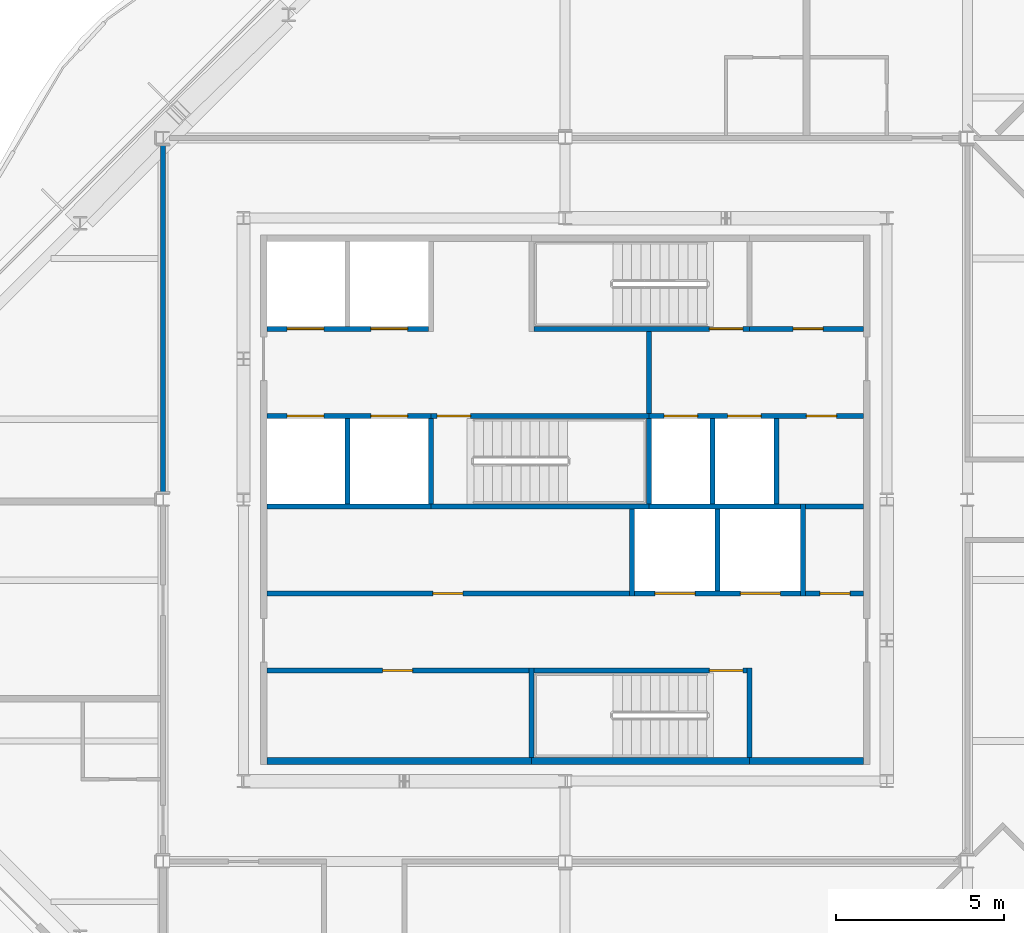
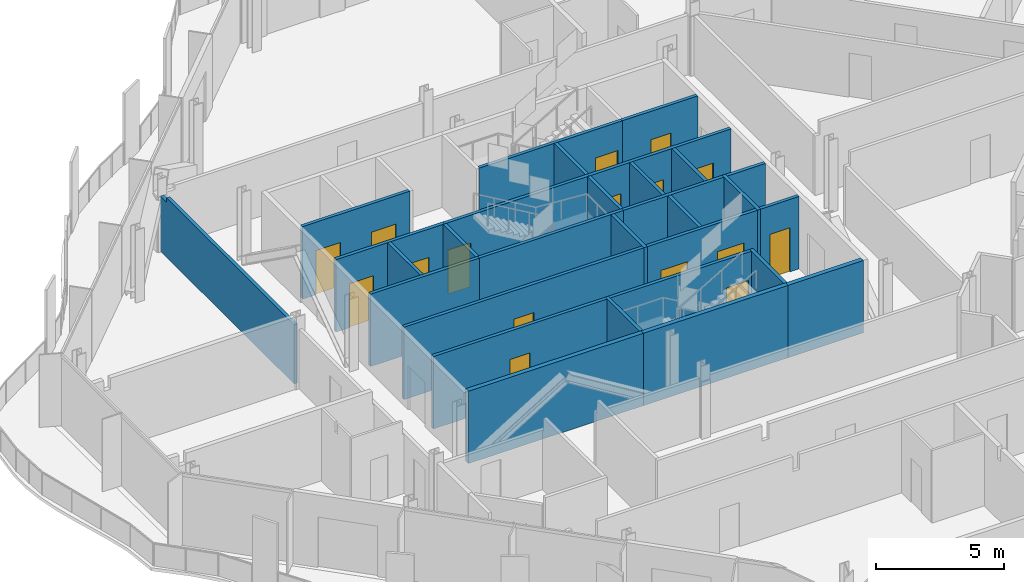
# One storey, part 8 of 17: 30 walls, 16 doors, 16 openings.
"""IFC4 building model written with IfcOpenShell, lengths in metres."""

from ifc_helpers import new_model, si_unit, direction, frame, frame_2d, origin, place, context, subcontext, project, spatial, polyline, rectangle, outline, extrude, material, layer, layer_set, type_object, element, fill, save


model = new_model("IFC4")

# Units and contexts
model_context = context("Model", 3, precision=1e-05, world=origin(), true_north=direction((0.0, 1.0)))
body_context = subcontext(model_context, "Body", "Model", "MODEL_VIEW")
ifc_project = project(units=[si_unit("LENGTHUNIT", "METRE"), si_unit("AREAUNIT", "SQUARE_METRE"), si_unit("VOLUMEUNIT", "CUBIC_METRE"), si_unit("PLANEANGLEUNIT", "RADIAN"), si_unit("MASSUNIT", "GRAM", prefix="KILO")], contexts=[model_context])

# Site, building, storey
site_placement = place(None, origin())
site = spatial("IfcSite", under=ifc_project, at=site_placement, CompositionType="ELEMENT")
building_placement = place(site_placement, origin())
building = spatial("IfcBuilding", under=site, at=building_placement, Name="Cairn Pilgrim Tower", CompositionType="ELEMENT")
storey_placement = place(building_placement, frame((0.0, 0.0, 250.199951171875)))
storey = spatial("IfcBuildingStorey", under=building, at=storey_placement, Name="L64", CompositionType="ELEMENT", Elevation=250.199951171875)

# Walls
ifc_material_1 = material(Name="Concrete C32/40", Category="concrete")
ifc_layer_1 = layer(ifc_material_1, 0.199951171875)
ifc_layer_set_1 = layer_set([ifc_layer_1], Name="CORE OUTER WALL 200 EI 120")
wall_type_1 = type_object("IfcWallType", Name="CORE OUTER WALL 200 EI 120", PredefinedType="SOLIDWALL", material=ifc_layer_set_1)
wall_1_placement = place(storey_placement, frame((-1.699951171875, -5.39990234375, 0.0), z_axis=(0.0, 0.0, 1.0), x_axis=(1.0, 0.0, 0.0)))
element("IfcWall", 1, at=wall_1_placement, inside=storey, type_object=wall_type_1, Name="CW:L64:H01-1", PredefinedType="SOLIDWALL", context=body_context, shape_type="SweptSolid", body=[
    extrude(rectangle(XDim=7.89990234375, YDim=0.199951171875, at=frame_2d((3.949951171875, 0.0))), origin(), (0.0, 0.0, 1.0), 3.449951171875),
])
wall_2_placement = place(storey_placement, frame((12.699951171875, -5.39990234375, 0.0), z_axis=(0.0, 0.0, 1.0), x_axis=(1.0, 0.0, 0.0)))
element("IfcWall", 2, at=wall_2_placement, inside=storey, type_object=wall_type_1, Name="CW:L64:H01-3", PredefinedType="SOLIDWALL", context=body_context, shape_type="SweptSolid", body=[
    extrude(rectangle(XDim=3.400146484375, YDim=0.199951171875, at=frame_2d((1.7001953125, 0.0))), origin(), (0.0, 0.0, 1.0), 3.449951171875),
])

# Wall, opening, door
ifc_layer_2 = layer(ifc_material_1, 0.14990234375)
ifc_layer_set_2 = layer_set([ifc_layer_2], Name="CORE PARTITION 150 EI 60")
wall_type_2 = type_object("IfcWallType", Name="CORE PARTITION 150 EI 60", PredefinedType="PARTITIONING", material=ifc_layer_set_2)
wall_3_placement = place(storey_placement, frame((-1.699951171875, -2.699951171875, 0.0), z_axis=(0.0, 0.0, 1.0), x_axis=(1.0, 0.0, 0.0)))
wall_3 = element("IfcWall", 3, at=wall_3_placement, inside=storey, type_object=wall_type_2, Name="CW:L64:H02", PredefinedType="PARTITIONING", context=body_context, shape_type="SweptSolid", body=[
    extrude(rectangle(XDim=7.824951171875, YDim=0.14990234375, at=frame_2d((3.91259765625, 0.0))), origin(), (0.0, 0.0, 1.0), 3.449951171875),
])
opening_1_placement = place(wall_3_placement, frame((3.449951171875, 0.0, 0.0)))
opening_1 = element("IfcOpeningElement", 4, at=opening_1_placement, cuts=wall_3, Name="Opening RD-R1W1", PredefinedType="OPENING", context=body_context, shape_type="SweptSolid", body=[
    extrude(rectangle(XDim=0.89990234375, YDim=2.10009765625, at=frame_2d((0.449951171875, 1.050048828125))), frame((0.0, 0.0849609375, 0.0), z_axis=(0.0, -1.0, 0.0), x_axis=(1.0, 0.0, 0.0)), (0.0, 0.0, 1.0), 0.169921875),
])
ifc_material_2 = material(Name="Painted steel", Category="steel")
door_type_1 = type_object("IfcDoorType", Name="SERVICE ROOM DOOR 900x2100", OperationType="SINGLE_SWING_LEFT", PredefinedType="DOOR", material=ifc_material_2)
door_1_placement = place(opening_1_placement, origin())
door_1 = element("IfcDoor", 5, at=door_1_placement, inside=storey, type_object=door_type_1, Name="RD-R1W1", OperationType="SINGLE_SWING_LEFT", OverallHeight=2.10009765625, OverallWidth=0.89990234375, PredefinedType="DOOR", context=body_context, shape_type="SweptSolid", body=[
    extrude(rectangle(XDim=0.89990234375, YDim=2.10009765625, at=frame_2d((0.449951171875, 1.050048828125))), frame((0.0, 0.02490234375, 0.0), z_axis=(0.0, -1.0, 0.0), x_axis=(1.0, 0.0, 0.0)), (0.0, 0.0, 1.0), 0.050048828125),
])
fill(opening_1, door_1)

wall_4_placement = place(storey_placement, frame((-1.699951171875, -0.39990234375, 0.0), z_axis=(0.0, 0.0, 1.0), x_axis=(1.0, 0.0, 0.0)))
wall_4 = element("IfcWall", 6, at=wall_4_placement, inside=storey, type_object=wall_type_2, Name="CW:L64:H04", PredefinedType="PARTITIONING", context=body_context, shape_type="SweptSolid", body=[
    extrude(rectangle(XDim=10.824951171875, YDim=0.14990234375, at=frame_2d((5.41259765625, 0.0))), origin(), (0.0, 0.0, 1.0), 3.449951171875),
])
opening_2_placement = place(wall_4_placement, frame((4.949951171875, 0.0, 0.0)))
opening_2 = element("IfcOpeningElement", 7, at=opening_2_placement, cuts=wall_4, Name="Opening RD-R2W1", PredefinedType="OPENING", context=body_context, shape_type="SweptSolid", body=[
    extrude(rectangle(XDim=0.89990234375, YDim=2.10009765625, at=frame_2d((0.449951171875, 1.050048828125))), frame((0.0, 0.0849609375, 0.0), z_axis=(0.0, -1.0, 0.0), x_axis=(1.0, 0.0, 0.0)), (0.0, 0.0, 1.0), 0.169921875),
])
door_2_placement = place(opening_2_placement, origin())
door_2 = element("IfcDoor", 8, at=door_2_placement, inside=storey, type_object=door_type_1, Name="RD-R2W1", OperationType="SINGLE_SWING_RIGHT", OverallHeight=2.10009765625, OverallWidth=0.89990234375, PredefinedType="DOOR", context=body_context, shape_type="SweptSolid", body=[
    extrude(rectangle(XDim=0.89990234375, YDim=2.10009765625, at=frame_2d((0.449951171875, 1.050048828125))), frame((0.0, 0.02490234375, 0.0), z_axis=(0.0, -1.0, 0.0), x_axis=(1.0, 0.0, 0.0)), (0.0, 0.0, 1.0), 0.050048828125),
])
fill(opening_2, door_2)

wall_5_placement = place(storey_placement, frame((14.375, -0.39990234375, 0.0), z_axis=(0.0, 0.0, 1.0), x_axis=(1.0, 0.0, 0.0)))
wall_5 = element("IfcWall", 9, at=wall_5_placement, inside=storey, type_object=wall_type_2, Name="CW:L64:H06", PredefinedType="PARTITIONING", context=body_context, shape_type="SweptSolid", body=[
    extrude(rectangle(XDim=1.72509765625, YDim=0.14990234375, at=frame_2d((0.862548828125, 0.0))), origin(), (0.0, 0.0, 1.0), 3.449951171875),
])
opening_3_placement = place(wall_5_placement, frame((0.425048828125, 0.0, 0.0)))
opening_3 = element("IfcOpeningElement", 10, at=opening_3_placement, cuts=wall_5, Name="Opening RD-R2E", PredefinedType="OPENING", context=body_context, shape_type="SweptSolid", body=[
    extrude(rectangle(XDim=0.89990234375, YDim=2.10009765625, at=frame_2d((0.449951171875, 1.050048828125))), frame((0.0, 0.0849609375, 0.0), z_axis=(0.0, -1.0, 0.0), x_axis=(1.0, 0.0, 0.0)), (0.0, 0.0, 1.0), 0.169921875),
])
door_3_placement = place(opening_3_placement, origin())
door_3 = element("IfcDoor", 11, at=door_3_placement, inside=storey, type_object=door_type_1, Name="RD-R2E", OperationType="SINGLE_SWING_RIGHT", OverallHeight=2.10009765625, OverallWidth=0.89990234375, PredefinedType="DOOR", context=body_context, shape_type="SweptSolid", body=[
    extrude(rectangle(XDim=0.89990234375, YDim=2.10009765625, at=frame_2d((0.449951171875, 1.050048828125))), frame((0.0, 0.02490234375, 0.0), z_axis=(0.0, -1.0, 0.0), x_axis=(1.0, 0.0, 0.0)), (0.0, 0.0, 1.0), 0.050048828125),
])
fill(opening_3, door_3)

# Wall
wall_6_placement = place(storey_placement, frame((14.375, 2.199951171875, 0.0), z_axis=(0.0, 0.0, 1.0), x_axis=(1.0, 0.0, 0.0)))
element("IfcWall", 12, at=wall_6_placement, inside=storey, type_object=wall_type_2, Name="CW:L64:H08", PredefinedType="PARTITIONING", context=body_context, shape_type="SweptSolid", body=[
    extrude(rectangle(XDim=1.72509765625, YDim=0.14990234375, at=frame_2d((0.862548828125, 0.0))), origin(), (0.0, 0.0, 1.0), 3.449951171875),
])

# Wall, openings, doors
ifc_layer_3 = layer(ifc_material_1, 0.14990234375)
ifc_layer_set_3 = layer_set([ifc_layer_3], Name="CORE SHAFT WALL 150 EI 120")
wall_type_3 = type_object("IfcWallType", Name="CORE SHAFT WALL 150 EI 120", PredefinedType="SOLIDWALL", material=ifc_layer_set_3)
wall_7_placement = place(storey_placement, frame((9.27490234375, -0.39990234375, 0.0), z_axis=(0.0, 0.0, 1.0), x_axis=(1.0, 0.0, 0.0)))
wall_7 = element("IfcWall", 13, at=wall_7_placement, inside=storey, type_object=wall_type_3, Name="CW:L64:H05", PredefinedType="SOLIDWALL", context=body_context, shape_type="SweptSolid", body=[
    extrude(rectangle(XDim=4.9501953125, YDim=0.14990234375, at=frame_2d((2.47509765625, 0.0))), origin(), (0.0, 0.0, 1.0), 3.449951171875),
])
opening_4_placement = place(wall_7_placement, frame((0.60009765625, 0.0, 0.0)))
opening_4 = element("IfcOpeningElement", 14, at=opening_4_placement, cuts=wall_7, Name="Opening LD-SV1", PredefinedType="OPENING", context=body_context, shape_type="SweptSolid", body=[
    extrude(rectangle(XDim=1.199951171875, YDim=2.10009765625, at=frame_2d((0.60009765625, 1.050048828125))), frame((0.0, 0.0849609375, 0.0), z_axis=(0.0, -1.0, 0.0), x_axis=(1.0, 0.0, 0.0)), (0.0, 0.0, 1.0), 0.169921875),
])
opening_5_placement = place(wall_7_placement, frame((3.14990234375, 0.0, 0.0)))
opening_5 = element("IfcOpeningElement", 15, at=opening_5_placement, cuts=wall_7, Name="Opening LD-SV2", PredefinedType="OPENING", context=body_context, shape_type="SweptSolid", body=[
    extrude(rectangle(XDim=1.199951171875, YDim=2.10009765625, at=frame_2d((0.60009765625, 1.050048828125))), frame((0.0, 0.0849609375, 0.0), z_axis=(0.0, -1.0, 0.0), x_axis=(1.0, 0.0, 0.0)), (0.0, 0.0, 1.0), 0.169921875),
])
ifc_material_3 = material(Name="Stainless steel", Category="steel")
door_type_2 = type_object("IfcDoorType", Name="LIFT LANDING DOOR 1200x2100", OperationType="DOUBLE_DOOR_SLIDING", PredefinedType="DOOR", material=ifc_material_3)
door_4_placement = place(opening_4_placement, origin())
door_4 = element("IfcDoor", 16, at=door_4_placement, inside=storey, type_object=door_type_2, Name="LANDING DOOR SV1", OperationType="DOUBLE_DOOR_SLIDING", OverallHeight=2.10009765625, OverallWidth=1.199951171875, PredefinedType="DOOR", context=body_context, shape_type="SweptSolid", body=[
    extrude(rectangle(XDim=1.199951171875, YDim=2.10009765625, at=frame_2d((0.60009765625, 1.050048828125))), frame((0.0, 0.02490234375, 0.0), z_axis=(0.0, -1.0, 0.0), x_axis=(1.0, 0.0, 0.0)), (0.0, 0.0, 1.0), 0.050048828125),
])
fill(opening_4, door_4)
door_5_placement = place(opening_5_placement, origin())
door_5 = element("IfcDoor", 17, at=door_5_placement, inside=storey, type_object=door_type_2, Name="LANDING DOOR SV2", OperationType="DOUBLE_DOOR_SLIDING", OverallHeight=2.10009765625, OverallWidth=1.199951171875, PredefinedType="DOOR", context=body_context, shape_type="SweptSolid", body=[
    extrude(rectangle(XDim=1.199951171875, YDim=2.10009765625, at=frame_2d((0.60009765625, 1.050048828125))), frame((0.0, 0.02490234375, 0.0), z_axis=(0.0, -1.0, 0.0), x_axis=(1.0, 0.0, 0.0)), (0.0, 0.0, 1.0), 0.050048828125),
])
fill(opening_5, door_5)

# Walls
wall_8_placement = place(storey_placement, frame((-1.699951171875, 2.199951171875, 0.0), z_axis=(0.0, 0.0, 1.0), x_axis=(1.0, 0.0, 0.0)))
element("IfcWall", 18, at=wall_8_placement, inside=storey, type_object=wall_type_3, Name="CW:L64:H07-1", PredefinedType="SOLIDWALL", context=body_context, shape_type="SweptSolid", body=[
    extrude(rectangle(XDim=4.89990234375, YDim=0.14990234375, at=frame_2d((2.449951171875, 0.0))), origin(), (0.0, 0.0, 1.0), 3.449951171875),
])
wall_9_placement = place(storey_placement, frame((9.699951171875, 2.199951171875, 0.0), z_axis=(0.0, 0.0, 1.0), x_axis=(1.0, 0.0, 0.0)))
element("IfcWall", 19, at=wall_9_placement, inside=storey, type_object=wall_type_3, Name="CW:L64:H07-3", PredefinedType="SOLIDWALL", context=body_context, shape_type="SweptSolid", body=[
    extrude(rectangle(XDim=4.525146484375, YDim=0.14990234375, at=frame_2d((2.2626953125, 0.0))), origin(), (0.0, 0.0, 1.0), 3.449951171875),
])

# Wall, openings, doors
wall_10_placement = place(storey_placement, frame((-1.699951171875, 4.89990234375, 0.0), z_axis=(0.0, 0.0, 1.0), x_axis=(1.0, 0.0, 0.0)))
wall_10 = element("IfcWall", 20, at=wall_10_placement, inside=storey, type_object=wall_type_3, Name="CW:L64:H09-1", PredefinedType="SOLIDWALL", context=body_context, shape_type="SweptSolid", body=[
    extrude(rectangle(XDim=4.89990234375, YDim=0.14990234375, at=frame_2d((2.449951171875, 0.0))), origin(), (0.0, 0.0, 1.0), 3.449951171875),
])
opening_6_placement = place(wall_10_placement, frame((0.60009765625, 0.0, 0.0)))
opening_6 = element("IfcOpeningElement", 21, at=opening_6_placement, cuts=wall_10, Name="Opening LD-HR1", PredefinedType="OPENING", context=body_context, shape_type="SweptSolid", body=[
    extrude(rectangle(XDim=1.10009765625, YDim=2.10009765625, at=frame_2d((0.550048828125, 1.050048828125))), frame((0.0, 0.0849609375, 0.0), z_axis=(0.0, -1.0, 0.0), x_axis=(1.0, 0.0, 0.0)), (0.0, 0.0, 1.0), 0.169921875),
])
opening_7_placement = place(wall_10_placement, frame((3.10009765625, 0.0, 0.0)))
opening_7 = element("IfcOpeningElement", 22, at=opening_7_placement, cuts=wall_10, Name="Opening LD-HR2", PredefinedType="OPENING", context=body_context, shape_type="SweptSolid", body=[
    extrude(rectangle(XDim=1.10009765625, YDim=2.10009765625, at=frame_2d((0.550048828125, 1.050048828125))), frame((0.0, 0.0849609375, 0.0), z_axis=(0.0, -1.0, 0.0), x_axis=(1.0, 0.0, 0.0)), (0.0, 0.0, 1.0), 0.169921875),
])
door_type_3 = type_object("IfcDoorType", Name="LIFT LANDING DOOR 1100x2100", OperationType="DOUBLE_DOOR_SLIDING", PredefinedType="DOOR", material=ifc_material_3)
door_6_placement = place(opening_6_placement, origin())
door_6 = element("IfcDoor", 23, at=door_6_placement, inside=storey, type_object=door_type_3, Name="LANDING DOOR HR1", OperationType="DOUBLE_DOOR_SLIDING", OverallHeight=2.10009765625, OverallWidth=1.10009765625, PredefinedType="DOOR", context=body_context, shape_type="SweptSolid", body=[
    extrude(rectangle(XDim=1.10009765625, YDim=2.10009765625, at=frame_2d((0.550048828125, 1.050048828125))), frame((0.0, 0.02490234375, 0.0), z_axis=(0.0, -1.0, 0.0), x_axis=(1.0, 0.0, 0.0)), (0.0, 0.0, 1.0), 0.050048828125),
])
fill(opening_6, door_6)
door_7_placement = place(opening_7_placement, origin())
door_7 = element("IfcDoor", 24, at=door_7_placement, inside=storey, type_object=door_type_3, Name="LANDING DOOR HR2", OperationType="DOUBLE_DOOR_SLIDING", OverallHeight=2.10009765625, OverallWidth=1.10009765625, PredefinedType="DOOR", context=body_context, shape_type="SweptSolid", body=[
    extrude(rectangle(XDim=1.10009765625, YDim=2.10009765625, at=frame_2d((0.550048828125, 1.050048828125))), frame((0.0, 0.02490234375, 0.0), z_axis=(0.0, -1.0, 0.0), x_axis=(1.0, 0.0, 0.0)), (0.0, 0.0, 1.0), 0.050048828125),
])
fill(opening_7, door_7)

wall_11_placement = place(storey_placement, frame((9.699951171875, 4.89990234375, 0.0), z_axis=(0.0, 0.0, 1.0), x_axis=(1.0, 0.0, 0.0)))
wall_11 = element("IfcWall", 25, at=wall_11_placement, inside=storey, type_object=wall_type_3, Name="CW:L64:H09-3", PredefinedType="SOLIDWALL", context=body_context, shape_type="SweptSolid", body=[
    extrude(rectangle(XDim=6.400146484375, YDim=0.14990234375, at=frame_2d((3.2001953125, 0.0))), origin(), (0.0, 0.0, 1.0), 3.449951171875),
])
opening_8_placement = place(wall_11_placement, frame((0.449951171875, 0.0, 0.0)))
opening_8 = element("IfcOpeningElement", 26, at=opening_8_placement, cuts=wall_11, Name="Opening LD-FF1", PredefinedType="OPENING", context=body_context, shape_type="SweptSolid", body=[
    extrude(rectangle(XDim=1.0, YDim=2.10009765625, at=frame_2d((0.5, 1.050048828125))), frame((0.0, 0.0849609375, 0.0), z_axis=(0.0, -1.0, 0.0), x_axis=(1.0, 0.0, 0.0)), (0.0, 0.0, 1.0), 0.169921875),
])
opening_9_placement = place(wall_11_placement, frame((2.35009765625, 0.0, 0.0)))
opening_9 = element("IfcOpeningElement", 27, at=opening_9_placement, cuts=wall_11, Name="Opening LD-FF2", PredefinedType="OPENING", context=body_context, shape_type="SweptSolid", body=[
    extrude(rectangle(XDim=1.0, YDim=2.10009765625, at=frame_2d((0.5, 1.050048828125))), frame((0.0, 0.0849609375, 0.0), z_axis=(0.0, -1.0, 0.0), x_axis=(1.0, 0.0, 0.0)), (0.0, 0.0, 1.0), 0.169921875),
])
opening_10_placement = place(wall_11_placement, frame((4.699951171875, 0.0, 0.0)))
opening_10 = element("IfcOpeningElement", 28, at=opening_10_placement, cuts=wall_11, Name="Opening RD-R3E", PredefinedType="OPENING", context=body_context, shape_type="SweptSolid", body=[
    extrude(rectangle(XDim=0.89990234375, YDim=2.10009765625, at=frame_2d((0.449951171875, 1.050048828125))), frame((0.0, 0.0849609375, 0.0), z_axis=(0.0, -1.0, 0.0), x_axis=(1.0, 0.0, 0.0)), (0.0, 0.0, 1.0), 0.169921875),
])
door_type_4 = type_object("IfcDoorType", Name="LIFT LANDING DOOR FIRE 1000x2100", OperationType="DOUBLE_DOOR_SLIDING", PredefinedType="DOOR", material=ifc_material_3)
door_8_placement = place(opening_8_placement, origin())
door_8 = element("IfcDoor", 29, at=door_8_placement, inside=storey, type_object=door_type_4, Name="LANDING DOOR FF1", OperationType="DOUBLE_DOOR_SLIDING", OverallHeight=2.10009765625, OverallWidth=1.0, PredefinedType="DOOR", context=body_context, shape_type="SweptSolid", body=[
    extrude(rectangle(XDim=1.0, YDim=2.10009765625, at=frame_2d((0.5, 1.050048828125))), frame((0.0, 0.02490234375, 0.0), z_axis=(0.0, -1.0, 0.0), x_axis=(1.0, 0.0, 0.0)), (0.0, 0.0, 1.0), 0.050048828125),
])
fill(opening_8, door_8)
door_9_placement = place(opening_9_placement, origin())
door_9 = element("IfcDoor", 30, at=door_9_placement, inside=storey, type_object=door_type_4, Name="LANDING DOOR FF2", OperationType="DOUBLE_DOOR_SLIDING", OverallHeight=2.10009765625, OverallWidth=1.0, PredefinedType="DOOR", context=body_context, shape_type="SweptSolid", body=[
    extrude(rectangle(XDim=1.0, YDim=2.10009765625, at=frame_2d((0.5, 1.050048828125))), frame((0.0, 0.02490234375, 0.0), z_axis=(0.0, -1.0, 0.0), x_axis=(1.0, 0.0, 0.0)), (0.0, 0.0, 1.0), 0.050048828125),
])
fill(opening_9, door_9)
door_10_placement = place(opening_10_placement, origin())
door_10 = element("IfcDoor", 31, at=door_10_placement, inside=storey, type_object=door_type_1, Name="RD-R3E", OperationType="SINGLE_SWING_LEFT", OverallHeight=2.10009765625, OverallWidth=0.89990234375, PredefinedType="DOOR", context=body_context, shape_type="SweptSolid", body=[
    extrude(rectangle(XDim=0.89990234375, YDim=2.10009765625, at=frame_2d((0.449951171875, 1.050048828125))), frame((0.0, 0.02490234375, 0.0), z_axis=(0.0, -1.0, 0.0), x_axis=(1.0, 0.0, 0.0)), (0.0, 0.0, 1.0), 0.050048828125),
])
fill(opening_10, door_10)

wall_12_placement = place(storey_placement, frame((-1.699951171875, 7.5, 0.0), z_axis=(0.0, 0.0, 1.0), x_axis=(1.0, 0.0, 0.0)))
wall_12 = element("IfcWall", 32, at=wall_12_placement, inside=storey, type_object=wall_type_3, Name="CW:L64:H10", PredefinedType="SOLIDWALL", context=body_context, shape_type="SweptSolid", body=[
    extrude(rectangle(XDim=4.824951171875, YDim=0.14990234375, at=frame_2d((2.41259765625, 0.0))), origin(), (0.0, 0.0, 1.0), 3.449951171875),
])
opening_11_placement = place(wall_12_placement, frame((0.60009765625, 0.0, 0.0)))
opening_11 = element("IfcOpeningElement", 33, at=opening_11_placement, cuts=wall_12, Name="Opening LD-HR3", PredefinedType="OPENING", context=body_context, shape_type="SweptSolid", body=[
    extrude(rectangle(XDim=1.10009765625, YDim=2.10009765625, at=frame_2d((0.550048828125, 1.050048828125))), frame((0.0, 0.0849609375, 0.0), z_axis=(0.0, -1.0, 0.0), x_axis=(1.0, 0.0, 0.0)), (0.0, 0.0, 1.0), 0.169921875),
])
opening_12_placement = place(wall_12_placement, frame((3.10009765625, 0.0, 0.0)))
opening_12 = element("IfcOpeningElement", 34, at=opening_12_placement, cuts=wall_12, Name="Opening LD-HR4", PredefinedType="OPENING", context=body_context, shape_type="SweptSolid", body=[
    extrude(rectangle(XDim=1.10009765625, YDim=2.10009765625, at=frame_2d((0.550048828125, 1.050048828125))), frame((0.0, 0.0849609375, 0.0), z_axis=(0.0, -1.0, 0.0), x_axis=(1.0, 0.0, 0.0)), (0.0, 0.0, 1.0), 0.169921875),
])
door_11_placement = place(opening_11_placement, origin())
door_11 = element("IfcDoor", 35, at=door_11_placement, inside=storey, type_object=door_type_3, Name="LANDING DOOR HR3", OperationType="DOUBLE_DOOR_SLIDING", OverallHeight=2.10009765625, OverallWidth=1.10009765625, PredefinedType="DOOR", context=body_context, shape_type="SweptSolid", body=[
    extrude(rectangle(XDim=1.10009765625, YDim=2.10009765625, at=frame_2d((0.550048828125, 1.050048828125))), frame((0.0, 0.02490234375, 0.0), z_axis=(0.0, -1.0, 0.0), x_axis=(1.0, 0.0, 0.0)), (0.0, 0.0, 1.0), 0.050048828125),
])
fill(opening_11, door_11)
door_12_placement = place(opening_12_placement, origin())
door_12 = element("IfcDoor", 36, at=door_12_placement, inside=storey, type_object=door_type_3, Name="LANDING DOOR HR4", OperationType="DOUBLE_DOOR_SLIDING", OverallHeight=2.10009765625, OverallWidth=1.10009765625, PredefinedType="DOOR", context=body_context, shape_type="SweptSolid", body=[
    extrude(rectangle(XDim=1.10009765625, YDim=2.10009765625, at=frame_2d((0.550048828125, 1.050048828125))), frame((0.0, 0.02490234375, 0.0), z_axis=(0.0, -1.0, 0.0), x_axis=(1.0, 0.0, 0.0)), (0.0, 0.0, 1.0), 0.050048828125),
])
fill(opening_12, door_12)

# Wall, opening, door
wall_13_placement = place(storey_placement, frame((12.699951171875, 7.5, 0.0), z_axis=(0.0, 0.0, 1.0), x_axis=(1.0, 0.0, 0.0)))
wall_13 = element("IfcWall", 37, at=wall_13_placement, inside=storey, type_object=wall_type_3, Name="CW:L64:H11-2", PredefinedType="SOLIDWALL", context=body_context, shape_type="SweptSolid", body=[
    extrude(rectangle(XDim=3.400146484375, YDim=0.14990234375, at=frame_2d((1.7001953125, 0.0))), origin(), (0.0, 0.0, 1.0), 3.449951171875),
])
opening_13_placement = place(wall_13_placement, frame((1.300048828125, 0.0, 0.0)))
opening_13 = element("IfcOpeningElement", 38, at=opening_13_placement, cuts=wall_13, Name="Opening RD-R4E", PredefinedType="OPENING", context=body_context, shape_type="SweptSolid", body=[
    extrude(rectangle(XDim=0.89990234375, YDim=2.10009765625, at=frame_2d((0.449951171875, 1.050048828125))), frame((0.0, 0.0849609375, 0.0), z_axis=(0.0, -1.0, 0.0), x_axis=(1.0, 0.0, 0.0)), (0.0, 0.0, 1.0), 0.169921875),
])
door_13_placement = place(opening_13_placement, origin())
door_13 = element("IfcDoor", 39, at=door_13_placement, inside=storey, type_object=door_type_1, Name="RD-R4E", OperationType="SINGLE_SWING_RIGHT", OverallHeight=2.10009765625, OverallWidth=0.89990234375, PredefinedType="DOOR", context=body_context, shape_type="SweptSolid", body=[
    extrude(rectangle(XDim=0.89990234375, YDim=2.10009765625, at=frame_2d((0.449951171875, 1.050048828125))), frame((0.0, 0.02490234375, 0.0), z_axis=(0.0, -1.0, 0.0), x_axis=(1.0, 0.0, 0.0)), (0.0, 0.0, 1.0), 0.050048828125),
])
fill(opening_13, door_13)

# Walls
wall_14_placement = place(storey_placement, frame((0.699951171875, 2.27490234375, 0.0), z_axis=(0.0, 0.0, 1.0), x_axis=(0.0, 1.0, 0.0)))
element("IfcWall", 40, at=wall_14_placement, inside=storey, type_object=wall_type_3, Name="CW:L64:V14", PredefinedType="SOLIDWALL", context=body_context, shape_type="SweptSolid", body=[
    extrude(rectangle(XDim=2.550048828125, YDim=0.14990234375, at=frame_2d((1.27490234375, 0.0))), origin(), (0.0, 0.0, 1.0), 3.449951171875),
])
wall_15_placement = place(storey_placement, frame((9.199951171875, -0.47509765625, 0.0), z_axis=(0.0, 0.0, 1.0), x_axis=(0.0, 1.0, 0.0)))
element("IfcWall", 41, at=wall_15_placement, inside=storey, type_object=wall_type_3, Name="CW:L64:V20", PredefinedType="SOLIDWALL", context=body_context, shape_type="SweptSolid", body=[
    extrude(rectangle(XDim=2.60009765625, YDim=0.14990234375, at=frame_2d((1.300048828125, 0.0))), origin(), (0.0, 0.0, 1.0), 3.449951171875),
])
wall_16_placement = place(storey_placement, frame((9.699951171875, 4.97509765625, 0.0), z_axis=(0.0, 0.0, 1.0), x_axis=(0.0, 1.0, 0.0)))
element("IfcWall", 42, at=wall_16_placement, inside=storey, type_object=wall_type_3, Name="CW:L64:V22", PredefinedType="SOLIDWALL", context=body_context, shape_type="SweptSolid", body=[
    extrude(rectangle(XDim=2.449951171875, YDim=0.14990234375, at=frame_2d((1.22509765625, 0.0))), origin(), (0.0, 0.0, 1.0), 3.449951171875),
])
wall_17_placement = place(storey_placement, frame((11.60009765625, 2.27490234375, 0.0), z_axis=(0.0, 0.0, 1.0), x_axis=(0.0, 1.0, 0.0)))
element("IfcWall", 43, at=wall_17_placement, inside=storey, type_object=wall_type_3, Name="CW:L64:V23", PredefinedType="SOLIDWALL", context=body_context, shape_type="SweptSolid", body=[
    extrude(rectangle(XDim=2.550048828125, YDim=0.14990234375, at=frame_2d((1.27490234375, 0.0))), origin(), (0.0, 0.0, 1.0), 3.449951171875),
])
wall_18_placement = place(storey_placement, frame((11.75, -0.324951171875, 0.0), z_axis=(0.0, 0.0, 1.0), x_axis=(0.0, 1.0, 0.0)))
element("IfcWall", 44, at=wall_18_placement, inside=storey, type_object=wall_type_3, Name="CW:L64:V24", PredefinedType="SOLIDWALL", context=body_context, shape_type="SweptSolid", body=[
    extrude(rectangle(XDim=2.449951171875, YDim=0.14990234375, at=frame_2d((1.22509765625, 0.0))), origin(), (0.0, 0.0, 1.0), 3.449951171875),
])
wall_19_placement = place(storey_placement, frame((13.5, 2.27490234375, 0.0), z_axis=(0.0, 0.0, 1.0), x_axis=(0.0, 1.0, 0.0)))
element("IfcWall", 45, at=wall_19_placement, inside=storey, type_object=wall_type_3, Name="CW:L64:V27", PredefinedType="SOLIDWALL", context=body_context, shape_type="SweptSolid", body=[
    extrude(rectangle(XDim=2.550048828125, YDim=0.14990234375, at=frame_2d((1.27490234375, 0.0))), origin(), (0.0, 0.0, 1.0), 3.449951171875),
])
wall_20_placement = place(storey_placement, frame((14.300048828125, -0.47509765625, 0.0), z_axis=(0.0, 0.0, 1.0), x_axis=(0.0, 1.0, 0.0)))
element("IfcWall", 46, at=wall_20_placement, inside=storey, type_object=wall_type_3, Name="CW:L64:V28", PredefinedType="SOLIDWALL", context=body_context, shape_type="SweptSolid", body=[
    extrude(rectangle(XDim=2.75, YDim=0.14990234375, at=frame_2d((1.375, 0.0))), origin(), (0.0, 0.0, 1.0), 3.449951171875),
])
ifc_material_4 = material(Name="Gypsum partition")
ifc_layer_4 = layer(ifc_material_4, 0.14990234375)
ifc_layer_set_4 = layer_set([ifc_layer_4], Name="PARTITION 150 DRYWALL EI 60")
wall_type_4 = type_object("IfcWallType", Name="PARTITION 150 DRYWALL EI 60", PredefinedType="PARTITIONING", material=ifc_layer_set_4)
wall_21_placement = place(storey_placement, frame((-4.800048828125, 2.58740234375, 0.0), z_axis=(0.0, 0.0, 1.0), x_axis=(0.0, 1.0, 0.0)))
element("IfcWall", 47, at=wall_21_placement, inside=storey, type_object=wall_type_4, Name="PARTITION W061", PredefinedType="PARTITIONING", context=body_context, shape_type="SweptSolid", body=[
    extrude(outline(polyline([(0.0, 0.0), (10.425048828125, 0.0), (10.425048828125, 2.630126953125), (9.9697265625, 2.630126953125), (9.9677734375, 2.830078125), (0.0, 2.830078125), (0.0, 0.0)])), frame((0.0, 0.074951171875, 0.0), z_axis=(0.0, -1.0, 0.0), x_axis=(1.0, 0.0, 0.0)), (0.0, 0.0, 1.0), 0.14990234375),
])

# Wall, opening, door
ifc_material_5 = material(Name="Concrete C35/45", Category="concrete")
ifc_layer_5 = layer(ifc_material_5, 0.14990234375)
ifc_layer_set_5 = layer_set([ifc_layer_5], Name="STAIR SHAFT WALL 150 EI 120")
wall_type_5 = type_object("IfcWallType", Name="STAIR SHAFT WALL 150 EI 120", PredefinedType="SOLIDWALL", material=ifc_layer_set_5)
wall_22_placement = place(storey_placement, frame((6.27490234375, -2.699951171875, 0.0), z_axis=(0.0, 0.0, 1.0), x_axis=(1.0, 0.0, 0.0)))
wall_22 = element("IfcWall", 48, at=wall_22_placement, inside=storey, type_object=wall_type_5, Name="CW:L64:H03", PredefinedType="SOLIDWALL", context=body_context, shape_type="SweptSolid", body=[
    extrude(rectangle(XDim=6.35009765625, YDim=0.14990234375, at=frame_2d((3.175048828125, 0.0))), origin(), (0.0, 0.0, 1.0), 3.449951171875),
])
opening_14_placement = place(wall_22_placement, frame((5.22509765625, 0.0, 0.0)))
opening_14 = element("IfcOpeningElement", 49, at=opening_14_placement, cuts=wall_22, Name="Opening SD-A", PredefinedType="OPENING", context=body_context, shape_type="SweptSolid", body=[
    extrude(rectangle(XDim=1.0, YDim=2.10009765625, at=frame_2d((0.5, 1.050048828125))), frame((0.0, 0.0849609375, 0.0), z_axis=(0.0, -1.0, 0.0), x_axis=(1.0, 0.0, 0.0)), (0.0, 0.0, 1.0), 0.169921875),
])
door_type_5 = type_object("IfcDoorType", Name="STAIR DOOR FD60S 1000x2100", OperationType="SINGLE_SWING_LEFT", PredefinedType="DOOR", material=ifc_material_2)
door_14_placement = place(opening_14_placement, origin())
door_14 = element("IfcDoor", 50, at=door_14_placement, inside=storey, type_object=door_type_5, Name="SD-A", OperationType="SINGLE_SWING_LEFT", OverallHeight=2.10009765625, OverallWidth=1.0, PredefinedType="DOOR", context=body_context, shape_type="SweptSolid", body=[
    extrude(rectangle(XDim=1.0, YDim=2.10009765625, at=frame_2d((0.5, 1.050048828125))), frame((0.0, 0.02490234375, 0.0), z_axis=(0.0, -1.0, 0.0), x_axis=(1.0, 0.0, 0.0)), (0.0, 0.0, 1.0), 0.050048828125),
])
fill(opening_14, door_14)

# Wall
wall_23_placement = place(storey_placement, frame((3.199951171875, 2.199951171875, 0.0), z_axis=(0.0, 0.0, 1.0), x_axis=(1.0, 0.0, 0.0)))
element("IfcWall", 51, at=wall_23_placement, inside=storey, type_object=wall_type_5, Name="CW:L64:H07-2", PredefinedType="SOLIDWALL", context=body_context, shape_type="SweptSolid", body=[
    extrude(rectangle(XDim=6.5, YDim=0.14990234375, at=frame_2d((3.25, 0.0))), origin(), (0.0, 0.0, 1.0), 3.449951171875),
])

# Wall, opening, door
wall_24_placement = place(storey_placement, frame((3.199951171875, 4.89990234375, 0.0), z_axis=(0.0, 0.0, 1.0), x_axis=(1.0, 0.0, 0.0)))
wall_24 = element("IfcWall", 52, at=wall_24_placement, inside=storey, type_object=wall_type_5, Name="CW:L64:H09-2", PredefinedType="SOLIDWALL", context=body_context, shape_type="SweptSolid", body=[
    extrude(rectangle(XDim=6.5, YDim=0.14990234375, at=frame_2d((3.25, 0.0))), origin(), (0.0, 0.0, 1.0), 3.449951171875),
])
opening_15_placement = place(wall_24_placement, frame((0.175048828125, 0.0, 0.0)))
opening_15 = element("IfcOpeningElement", 53, at=opening_15_placement, cuts=wall_24, Name="Opening SD-B", PredefinedType="OPENING", context=body_context, shape_type="SweptSolid", body=[
    extrude(rectangle(XDim=1.0, YDim=2.10009765625, at=frame_2d((0.5, 1.050048828125))), frame((0.0, 0.0849609375, 0.0), z_axis=(0.0, -1.0, 0.0), x_axis=(1.0, 0.0, 0.0)), (0.0, 0.0, 1.0), 0.169921875),
])
door_15_placement = place(opening_15_placement, origin())
door_15 = element("IfcDoor", 54, at=door_15_placement, inside=storey, type_object=door_type_5, Name="SD-B", OperationType="SINGLE_SWING_RIGHT", OverallHeight=2.10009765625, OverallWidth=1.0, PredefinedType="DOOR", context=body_context, shape_type="SweptSolid", body=[
    extrude(rectangle(XDim=1.0, YDim=2.10009765625, at=frame_2d((0.5, 1.050048828125))), frame((0.0, 0.02490234375, 0.0), z_axis=(0.0, -1.0, 0.0), x_axis=(1.0, 0.0, 0.0)), (0.0, 0.0, 1.0), 0.050048828125),
])
fill(opening_15, door_15)

wall_25_placement = place(storey_placement, frame((6.27490234375, 7.5, 0.0), z_axis=(0.0, 0.0, 1.0), x_axis=(1.0, 0.0, 0.0)))
wall_25 = element("IfcWall", 55, at=wall_25_placement, inside=storey, type_object=wall_type_5, Name="CW:L64:H11-1", PredefinedType="SOLIDWALL", context=body_context, shape_type="SweptSolid", body=[
    extrude(rectangle(XDim=6.425048828125, YDim=0.14990234375, at=frame_2d((3.21240234375, 0.0))), origin(), (0.0, 0.0, 1.0), 3.449951171875),
])
opening_16_placement = place(wall_25_placement, frame((5.22509765625, 0.0, 0.0)))
opening_16 = element("IfcOpeningElement", 56, at=opening_16_placement, cuts=wall_25, Name="Opening SD-C", PredefinedType="OPENING", context=body_context, shape_type="SweptSolid", body=[
    extrude(rectangle(XDim=1.0, YDim=2.10009765625, at=frame_2d((0.5, 1.050048828125))), frame((0.0, 0.0849609375, 0.0), z_axis=(0.0, -1.0, 0.0), x_axis=(1.0, 0.0, 0.0)), (0.0, 0.0, 1.0), 0.169921875),
])
door_16_placement = place(opening_16_placement, origin())
door_16 = element("IfcDoor", 57, at=door_16_placement, inside=storey, type_object=door_type_5, Name="SD-C", OperationType="SINGLE_SWING_LEFT", OverallHeight=2.10009765625, OverallWidth=1.0, PredefinedType="DOOR", context=body_context, shape_type="SweptSolid", body=[
    extrude(rectangle(XDim=1.0, YDim=2.10009765625, at=frame_2d((0.5, 1.050048828125))), frame((0.0, 0.02490234375, 0.0), z_axis=(0.0, -1.0, 0.0), x_axis=(1.0, 0.0, 0.0)), (0.0, 0.0, 1.0), 0.050048828125),
])
fill(opening_16, door_16)

# Walls
wall_26_placement = place(storey_placement, frame((3.199951171875, 2.27490234375, 0.0), z_axis=(0.0, 0.0, 1.0), x_axis=(0.0, 1.0, 0.0)))
element("IfcWall", 58, at=wall_26_placement, inside=storey, type_object=wall_type_5, Name="CW:L64:V16", PredefinedType="SOLIDWALL", context=body_context, shape_type="SweptSolid", body=[
    extrude(rectangle(XDim=2.550048828125, YDim=0.14990234375, at=frame_2d((1.27490234375, 0.0))), origin(), (0.0, 0.0, 1.0), 3.449951171875),
])
wall_27_placement = place(storey_placement, frame((6.199951171875, -5.300048828125, 0.0), z_axis=(0.0, 0.0, 1.0), x_axis=(0.0, 1.0, 0.0)))
element("IfcWall", 59, at=wall_27_placement, inside=storey, type_object=wall_type_5, Name="CW:L64:V18", PredefinedType="SOLIDWALL", context=body_context, shape_type="SweptSolid", body=[
    extrude(rectangle(XDim=2.675048828125, YDim=0.14990234375, at=frame_2d((1.33740234375, 0.0))), origin(), (0.0, 0.0, 1.0), 3.449951171875),
])
wall_28_placement = place(storey_placement, frame((9.699951171875, 2.27490234375, 0.0), z_axis=(0.0, 0.0, 1.0), x_axis=(0.0, 1.0, 0.0)))
element("IfcWall", 60, at=wall_28_placement, inside=storey, type_object=wall_type_5, Name="CW:L64:V21", PredefinedType="SOLIDWALL", context=body_context, shape_type="SweptSolid", body=[
    extrude(rectangle(XDim=2.550048828125, YDim=0.14990234375, at=frame_2d((1.27490234375, 0.0))), origin(), (0.0, 0.0, 1.0), 3.449951171875),
])
wall_29_placement = place(storey_placement, frame((12.699951171875, -5.300048828125, 0.0), z_axis=(0.0, 0.0, 1.0), x_axis=(0.0, 1.0, 0.0)))
element("IfcWall", 61, at=wall_29_placement, inside=storey, type_object=wall_type_5, Name="CW:L64:V25", PredefinedType="SOLIDWALL", context=body_context, shape_type="SweptSolid", body=[
    extrude(rectangle(XDim=2.675048828125, YDim=0.14990234375, at=frame_2d((1.33740234375, 0.0))), origin(), (0.0, 0.0, 1.0), 3.449951171875),
])
ifc_layer_6 = layer(ifc_material_5, 0.199951171875)
ifc_layer_set_6 = layer_set([ifc_layer_6], Name="STAIR SHAFT WALL 200 EI 120")
wall_type_6 = type_object("IfcWallType", Name="STAIR SHAFT WALL 200 EI 120", PredefinedType="SOLIDWALL", material=ifc_layer_set_6)
wall_30_placement = place(storey_placement, frame((6.199951171875, -5.39990234375, 0.0), z_axis=(0.0, 0.0, 1.0), x_axis=(1.0, 0.0, 0.0)))
element("IfcWall", 62, at=wall_30_placement, inside=storey, type_object=wall_type_6, Name="CW:L64:H01-2", PredefinedType="SOLIDWALL", context=body_context, shape_type="SweptSolid", body=[
    extrude(rectangle(XDim=6.5, YDim=0.199951171875, at=frame_2d((3.25, 0.0))), origin(), (0.0, 0.0, 1.0), 3.449951171875),
])

save(model, "model.ifc")
